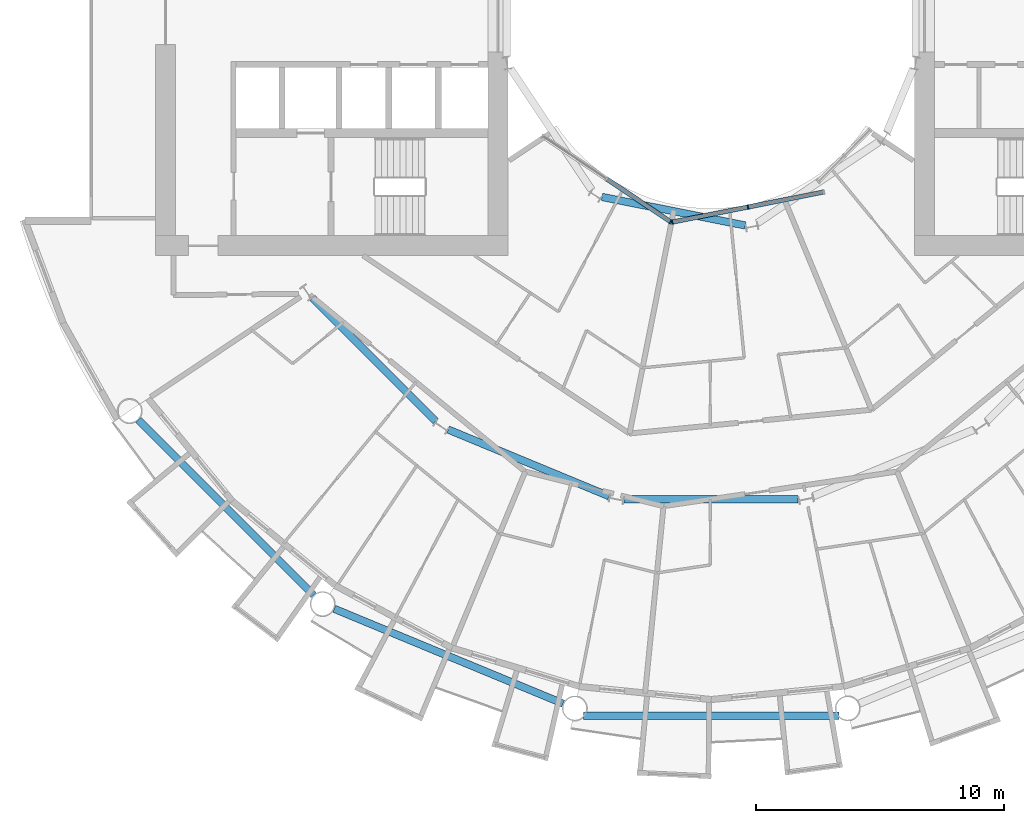
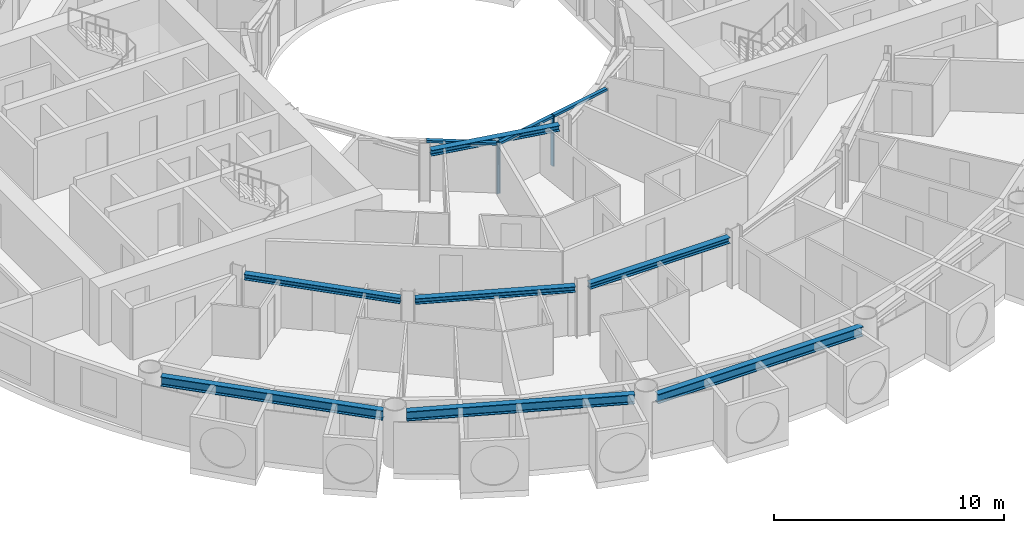
# One storey, part 4 of 26: 7 beams, 6 members, 2 elements without a shape of their own.
"""IFC4 building model written with IfcOpenShell, lengths in metres."""

from ifc_helpers import new_model, si_unit, direction, frame, origin, origin_2d, place, context, subcontext, project, spatial, rectangle, i_section, extrude, material, layer, layer_set, material_profile, profile_set, type_object, element, aggregate, save


model = new_model("IFC4")

# Units and contexts
model_context = context("Model", 3, precision=1e-05, world=origin(), true_north=direction((0.0, 1.0)))
body_context = subcontext(model_context, "Body", "Model", "MODEL_VIEW")
ifc_project = project(units=[si_unit("LENGTHUNIT", "METRE"), si_unit("AREAUNIT", "SQUARE_METRE"), si_unit("VOLUMEUNIT", "CUBIC_METRE"), si_unit("PLANEANGLEUNIT", "RADIAN"), si_unit("MASSUNIT", "GRAM", prefix="KILO")], contexts=[model_context])

# Site, building, storey
site_placement = place(None, origin())
site = spatial("IfcSite", under=ifc_project, at=site_placement, CompositionType="ELEMENT")
building_placement = place(site_placement, origin())
building = spatial("IfcBuilding", under=site, at=building_placement, Name="Maasbend Ring Residences", CompositionType="ELEMENT")
storey_placement = place(building_placement, frame((0.0, 0.0, 35.0)))
storey = spatial("IfcBuildingStorey", under=building, at=storey_placement, Name="L09", CompositionType="ELEMENT", Elevation=35.0)

# Curtain wall, member
ifc_material_1 = material(Name="Aluminium and clear glass", Category="aluminium")
ifc_layer = layer(ifc_material_1, 0.179931640625)
ifc_layer_set = layer_set([ifc_layer], Name="CW-W")
curtain_wall_type = type_object("IfcCurtainWallType", Name="CW-W", PredefinedType="NOTDEFINED", material=ifc_layer_set)
curtain_wall_1_placement = place(storey_placement, origin())
curtain_wall_1 = element("IfcCurtainWall", 1, at=curtain_wall_1_placement, inside=storey, type_object=curtain_wall_type, Name="Well curtain wall S1", PredefinedType="NOTDEFINED")
ifc_material_2 = material(Name="Aluminium 6063-T6", Category="aluminium")
ifc_material_profile_1 = material_profile(ifc_material_2, rectangle(XDim=0.179931640625, YDim=0.06005859375, at=origin_2d()), Name="AL 180x60")
ifc_profile_set_1 = profile_set([ifc_material_profile_1], Name="Aluminium 6063-T6")
member_type_1 = type_object("IfcMemberType", Name="CWM-W", PredefinedType="MULLION", material=ifc_profile_set_1)
member_1_placement = place(storey_placement, frame((-1.627685546875, -8.040771484375, 0.0), z_axis=(0.0, 0.0, 1.0), x_axis=(0.55557023302, 0.831469612303, 0.0)))
member_1 = element("IfcMember", 2, at=member_1_placement, type_object=member_type_1, Name="Mullion well face", PredefinedType="MULLION", context=body_context, shape_type="SweptSolid", body=[
    extrude(rectangle(XDim=0.179931640625, YDim=0.06005859375, at=origin_2d()), origin(), (0.0, 0.0, 1.0), 2.699951171875),
])

# Curtain wall, members
curtain_wall_2_placement = place(storey_placement, origin())
curtain_wall_2 = element("IfcCurtainWall", 3, at=curtain_wall_2_placement, inside=storey, type_object=curtain_wall_type, Name="Well curtain wall S2", PredefinedType="NOTDEFINED")
member_2_placement = place(storey_placement, frame((-1.5732421875, -8.0517578125, 0.0), z_axis=(0.0, 0.0, 1.0), x_axis=(-0.195090322016, 0.980785280403, 0.0)))
member_2 = element("IfcMember", 4, at=member_2_placement, type_object=member_type_1, Name="Mullion well face", PredefinedType="MULLION", context=body_context, shape_type="SweptSolid", body=[
    extrude(rectangle(XDim=0.179931640625, YDim=0.06005859375, at=origin_2d()), origin(), (0.0, 0.0, 1.0), 2.699951171875),
])
member_3_placement = place(storey_placement, frame((1.480712890625, -7.444091796875, 0.0), z_axis=(0.0, 0.0, 1.0), x_axis=(-0.195090322016, 0.980785280403, 0.0)))
member_3 = element("IfcMember", 5, at=member_3_placement, type_object=member_type_1, Name="Mullion well face", PredefinedType="MULLION", context=body_context, shape_type="SweptSolid", body=[
    extrude(rectangle(XDim=0.179931640625, YDim=0.06005859375, at=origin_2d()), origin(), (0.0, 0.0, 1.0), 2.699951171875),
])

# Member
ifc_material_3 = material(Name="Aluminium 6063-T6", Category="aluminium")
ifc_material_profile_2 = material_profile(ifc_material_3, rectangle(XDim=0.179931640625, YDim=0.1201171875, at=origin_2d()), Name="AL 180x120")
ifc_profile_set_2 = profile_set([ifc_material_profile_2], Name="Aluminium 6063-T6")
member_type_2 = type_object("IfcMemberType", Name="CWT-W", PredefinedType="USERDEFINED", material=ifc_profile_set_2)
member_4_placement = place(storey_placement, frame((-4.19189453125, -6.32763671875, 2.639892578125), z_axis=(0.831496422459, -0.555530106689, 0.0), x_axis=(0.555530106689, 0.831496422459, 0.0)))
member_4 = element("IfcMember", 6, at=member_4_placement, type_object=member_type_2, Name="Transom well face", ObjectType="TRANSOM", PredefinedType="USERDEFINED", context=body_context, shape_type="SweptSolid", body=[
    extrude(rectangle(XDim=0.179931640625, YDim=0.1201171875, at=origin_2d()), origin(), (0.0, 0.0, 1.0), 3.053955078125),
])

aggregate(curtain_wall_1, [member_1, member_4])

member_5_placement = place(storey_placement, frame((-1.5439453125, -8.0458984375, 2.639892578125), z_axis=(0.980776956105, 0.195132166424, 0.0), x_axis=(-0.195132166424, 0.980776956105, 0.0)))
member_5 = element("IfcMember", 7, at=member_5_placement, type_object=member_type_2, Name="Transom well face", ObjectType="TRANSOM", PredefinedType="USERDEFINED", context=body_context, shape_type="SweptSolid", body=[
    extrude(rectangle(XDim=0.179931640625, YDim=0.1201171875, at=origin_2d()), origin(), (0.0, 0.0, 1.0), 3.053955078125),
])

member_6_placement = place(storey_placement, frame((1.51025390625, -7.438232421875, 2.639892578125), z_axis=(0.980789210404, 0.19507056353, 0.0), x_axis=(-0.19507056353, 0.980789210404, 0.0)))
member_6 = element("IfcMember", 8, at=member_6_placement, type_object=member_type_2, Name="Transom well face", ObjectType="TRANSOM", PredefinedType="USERDEFINED", context=body_context, shape_type="SweptSolid", body=[
    extrude(rectangle(XDim=0.179931640625, YDim=0.1201171875, at=origin_2d()), origin(), (0.0, 0.0, 1.0), 3.0537109375),
])

aggregate(curtain_wall_2, [member_2, member_3, member_5, member_6])

# Beams
ifc_material_4 = material(Name="Steel S355J2", Category="steel")
ifc_material_profile_3 = material_profile(ifc_material_4, i_section(OverallWidth=0.300048828125, OverallDepth=0.300048828125, WebThickness=0.010986328125, FlangeThickness=0.01904296875, FilletRadius=0.027099609375, at=origin_2d()), Name="HEB 300")
ifc_profile_set_3 = profile_set([ifc_material_profile_3], Name="Steel S355J2")
beam_type_1 = type_object("IfcBeamType", Name="Corridor ring beam HEB 300", PredefinedType="BEAM", material=ifc_profile_set_3)
beam_1_placement = place(storey_placement, frame((-16.0732421875, -11.11279296875, 2.550048828125), z_axis=(0.707106781187, -0.707106781187, 0.0), x_axis=(0.707106781187, 0.707106781187, 0.0)))
element("IfcBeam", 9, at=beam_1_placement, inside=storey, type_object=beam_type_1, Name="Corridor ring beam", PredefinedType="BEAM", context=body_context, shape_type="SweptSolid", body=[
    extrude(i_section(OverallWidth=0.300048828125, OverallDepth=0.300048828125, WebThickness=0.010986328125, FlangeThickness=0.01904296875, FilletRadius=0.027099609375, at=origin_2d()), origin(), (0.0, 0.0, 1.0), 7.01513671875),
])
beam_2_placement = place(storey_placement, frame((-10.59716796875, -16.417724609375, 2.550048828125), z_axis=(0.923886196809, -0.38266734293, 0.0), x_axis=(0.38266734293, 0.923886196809, 0.0)))
element("IfcBeam", 10, at=beam_2_placement, inside=storey, type_object=beam_type_1, Name="Corridor ring beam", PredefinedType="BEAM", context=body_context, shape_type="SweptSolid", body=[
    extrude(i_section(OverallWidth=0.300048828125, OverallDepth=0.300048828125, WebThickness=0.010986328125, FlangeThickness=0.01904296875, FilletRadius=0.027099609375, at=origin_2d()), origin(), (0.0, 0.0, 1.0), 7.015380859375),
])
beam_3_placement = place(storey_placement, frame((-3.5078125, -19.223388671875, 2.550048828125), z_axis=(1.0, 0.0, 0.0), x_axis=(0.0, 1.0, 0.0)))
element("IfcBeam", 11, at=beam_3_placement, inside=storey, type_object=beam_type_1, Name="Corridor ring beam", PredefinedType="BEAM", context=body_context, shape_type="SweptSolid", body=[
    extrude(i_section(OverallWidth=0.300048828125, OverallDepth=0.300048828125, WebThickness=0.010986328125, FlangeThickness=0.01904296875, FilletRadius=0.027099609375, at=origin_2d()), origin(), (0.0, 0.0, 1.0), 7.015625),
])
ifc_material_5 = material(Name="Steel S355J2", Category="steel")
ifc_material_profile_4 = material_profile(ifc_material_5, i_section(OverallWidth=0.300048828125, OverallDepth=0.5, WebThickness=0.014404296875, FlangeThickness=0.028076171875, FilletRadius=0.027099609375, at=origin_2d()), Name="HEB 500")
ifc_profile_set_4 = profile_set([ifc_material_profile_4], Name="Steel S355J2")
beam_type_2 = type_object("IfcBeamType", Name="Spandrel ring beam HEB 500", PredefinedType="SPANDREL", material=ifc_profile_set_4)
beam_4_placement = place(storey_placement, frame((-23.088134765625, -16.0263671875, 2.449951171875), z_axis=(0.707106781187, -0.707106781187, 0.0), x_axis=(0.707106781187, 0.707106781187, 0.0)))
element("IfcBeam", 12, at=beam_4_placement, inside=storey, type_object=beam_type_2, Name="Spandrel ring beam", PredefinedType="SPANDREL", context=body_context, shape_type="SweptSolid", body=[
    extrude(i_section(OverallWidth=0.300048828125, OverallDepth=0.5, WebThickness=0.014404296875, FlangeThickness=0.028076171875, FilletRadius=0.027099609375, at=origin_2d()), origin(), (0.0, 0.0, 1.0), 9.98681640625),
])
beam_5_placement = place(storey_placement, frame((-15.19775390625, -23.641845703125, 2.449951171875), z_axis=(0.923886337442, -0.382667003395, 0.0), x_axis=(0.382667003395, 0.923886337442, 0.0)))
element("IfcBeam", 13, at=beam_5_placement, inside=storey, type_object=beam_type_2, Name="Spandrel ring beam", PredefinedType="SPANDREL", context=body_context, shape_type="SweptSolid", body=[
    extrude(i_section(OverallWidth=0.300048828125, OverallDepth=0.5, WebThickness=0.014404296875, FlangeThickness=0.028076171875, FilletRadius=0.027099609375, at=origin_2d()), origin(), (0.0, 0.0, 1.0), 9.9873046875),
])
beam_6_placement = place(storey_placement, frame((-5.1435546875, -27.9580078125, 2.449951171875), z_axis=(1.0, 0.0, 0.0), x_axis=(0.0, 1.0, 0.0)))
element("IfcBeam", 14, at=beam_6_placement, inside=storey, type_object=beam_type_2, Name="Spandrel ring beam", PredefinedType="SPANDREL", context=body_context, shape_type="SweptSolid", body=[
    extrude(i_section(OverallWidth=0.300048828125, OverallDepth=0.5, WebThickness=0.014404296875, FlangeThickness=0.028076171875, FilletRadius=0.027099609375, at=origin_2d()), origin(), (0.0, 0.0, 1.0), 10.287109375),
])
ifc_material_6 = material(Name="Steel S355J2", Category="steel")
ifc_material_profile_5 = material_profile(ifc_material_6, i_section(OverallWidth=0.300048828125, OverallDepth=0.300048828125, WebThickness=0.010986328125, FlangeThickness=0.01904296875, FilletRadius=0.027099609375, at=origin_2d()), Name="HEB 300")
ifc_profile_set_5 = profile_set([ifc_material_profile_5], Name="Steel S355J2")
beam_type_3 = type_object("IfcBeamType", Name="Well edge beam HEB 300", PredefinedType="BEAM", material=ifc_profile_set_5)
beam_7_placement = place(storey_placement, frame((-4.4013671875, -7.037109375, 2.550048828125), z_axis=(0.980784282486, -0.195095338819, 0.0), x_axis=(0.195095338819, 0.980784282486, 0.0)))
element("IfcBeam", 15, at=beam_7_placement, inside=storey, type_object=beam_type_3, Name="Well edge beam", PredefinedType="BEAM", context=body_context, shape_type="SweptSolid", body=[
    extrude(i_section(OverallWidth=0.300048828125, OverallDepth=0.300048828125, WebThickness=0.010986328125, FlangeThickness=0.01904296875, FilletRadius=0.027099609375, at=origin_2d()), origin(), (0.0, 0.0, 1.0), 5.8876953125),
])

save(model, "model.ifc")
